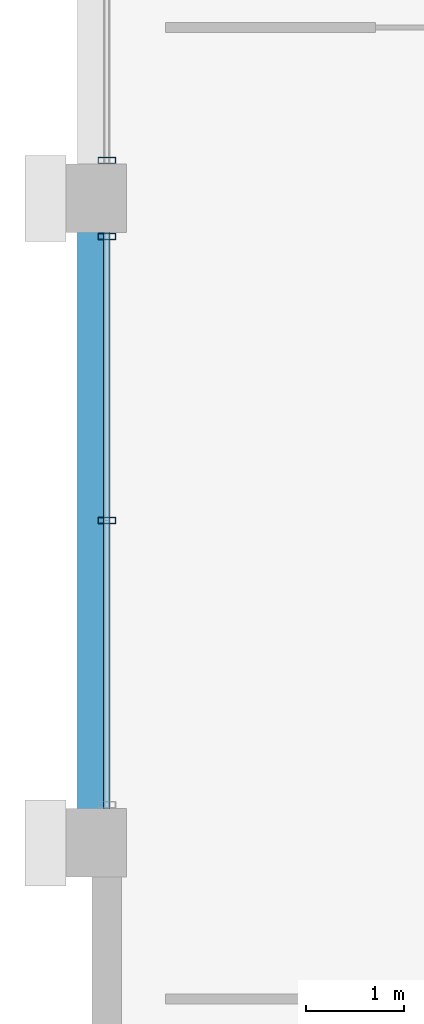
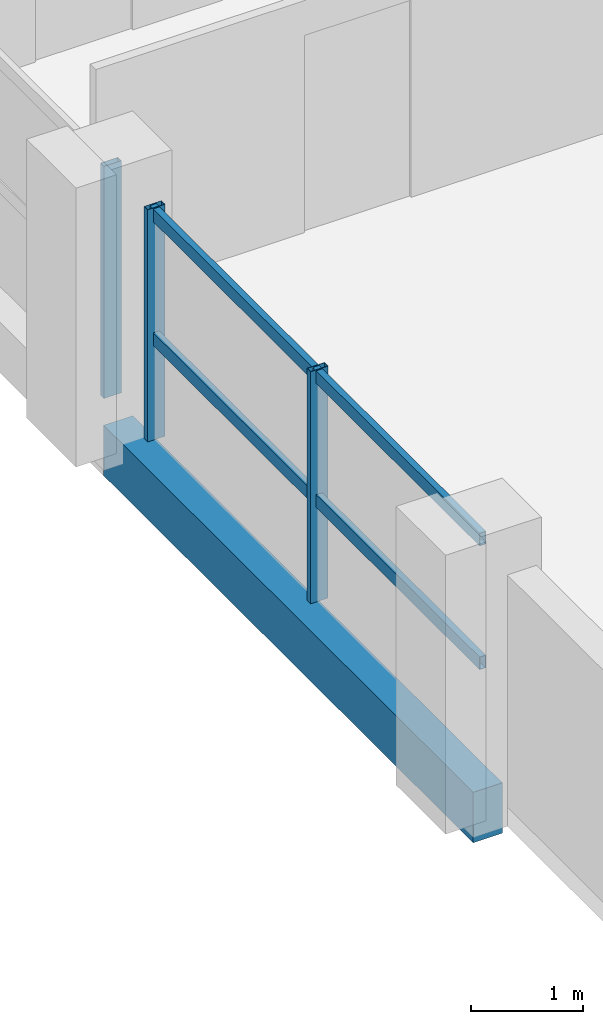
# One storey, part 4 of 24: 5 members, 1 beam, 2 elements without a shape of their own.
"""IFC4 building model written with IfcOpenShell, lengths in metres."""

from ifc_helpers import new_model, si_unit, direction, frame, origin, origin_2d, place, context, subcontext, project, spatial, rectangle, hollow_rectangle, extrude, material, material_profile, profile_set, type_object, element, aggregate, save


model = new_model("IFC4")

# Units and contexts
model_context = context("Model", 3, precision=1e-05, world=origin(), true_north=direction((0.0, 1.0)))
body_context = subcontext(model_context, "Body", "Model", "MODEL_VIEW")
ifc_project = project(units=[si_unit("LENGTHUNIT", "METRE"), si_unit("AREAUNIT", "SQUARE_METRE"), si_unit("VOLUMEUNIT", "CUBIC_METRE"), si_unit("PLANEANGLEUNIT", "RADIAN"), si_unit("MASSUNIT", "GRAM", prefix="KILO")], contexts=[model_context])

# Site, building, storey
site_placement = place(None, origin())
site = spatial("IfcSite", under=ifc_project, at=site_placement, CompositionType="ELEMENT")
building_placement = place(site_placement, origin())
building = spatial("IfcBuilding", under=site, at=building_placement, Name="Akrevak Sports Hall", CompositionType="ELEMENT")
storey_placement = place(building_placement, frame((0.0, 0.0, 60.050048828125)))
storey = spatial("IfcBuildingStorey", under=building, at=storey_placement, Name="L15", CompositionType="ELEMENT", Elevation=60.050048828125)

# Curtain wall, member
ifc_material_1 = material(Name="Anodized Bronze Aluminium & Low-E Glass", Category="aluminium")
curtain_wall_type = type_object("IfcCurtainWallType", Name="ARC-CW-TWR-56x30", PredefinedType="NOTDEFINED", material=ifc_material_1)
curtain_wall_1_placement = place(storey_placement, origin())
curtain_wall_1 = element("IfcCurtainWall", 1, at=curtain_wall_1_placement, inside=storey, type_object=curtain_wall_type, Name="Curtain Wall CW-L15-W28", PredefinedType="NOTDEFINED")
ifc_material_2 = material(Name="Anodized Bronze Aluminium", Category="aluminium")
ifc_material_profile_1 = material_profile(ifc_material_2, hollow_rectangle(XDim=0.06494140625, YDim=0.179931640625, WallThickness=0.00390625, at=origin_2d()), Name="CWM 65x180", Category="aluminium")
ifc_profile_set_1 = profile_set([ifc_material_profile_1], Name="Anodized Bronze Aluminium")
member_type_1 = type_object("IfcMemberType", Name="ARC-CWM-65x140", PredefinedType="MULLION", material=ifc_profile_set_1)
member_1_placement = place(storey_placement, frame((52.64990234375, 48.989990234375, 0.0), z_axis=(0.0, 0.0, 1.0), x_axis=(0.0, -1.0, 0.0)))
member_1 = element("IfcMember", 2, at=member_1_placement, type_object=member_type_1, Name="Curtain Wall Mullion CW-L15-W28-M3", PredefinedType="MULLION", context=body_context, shape_type="SweptSolid", body=[
    extrude(hollow_rectangle(XDim=0.06494140625, YDim=0.179931640625, WallThickness=0.00390625, at=origin_2d()), origin(), (0.0, 0.0, 1.0), 2.530029296875),
])
aggregate(curtain_wall_1, [member_1])

# Curtain wall, members
curtain_wall_2_placement = place(storey_placement, origin())
curtain_wall_2 = element("IfcCurtainWall", 3, at=curtain_wall_2_placement, inside=storey, type_object=curtain_wall_type, Name="Curtain Wall CW-L15-W29", PredefinedType="NOTDEFINED")
member_2_placement = place(storey_placement, frame((52.64990234375, 48.2099609375, 0.0), z_axis=(0.0, 0.0, 1.0), x_axis=(0.0, -1.0, 0.0)))
member_2 = element("IfcMember", 4, at=member_2_placement, type_object=member_type_1, Name="Curtain Wall Mullion CW-L15-W29-M1", PredefinedType="MULLION", context=body_context, shape_type="SweptSolid", body=[
    extrude(hollow_rectangle(XDim=0.06494140625, YDim=0.179931640625, WallThickness=0.00390625, at=origin_2d()), origin(), (0.0, 0.0, 1.0), 2.530029296875),
])
member_3_placement = place(storey_placement, frame((52.64990234375, 45.300048828125, 0.0), z_axis=(0.0, 0.0, 1.0), x_axis=(0.0, -1.0, 0.0)))
member_3 = element("IfcMember", 5, at=member_3_placement, type_object=member_type_1, Name="Curtain Wall Mullion CW-L15-W29-M2", PredefinedType="MULLION", context=body_context, shape_type="SweptSolid", body=[
    extrude(hollow_rectangle(XDim=0.06494140625, YDim=0.179931640625, WallThickness=0.00390625, at=origin_2d()), origin(), (0.0, 0.0, 1.0), 2.530029296875),
])
ifc_material_profile_2 = material_profile(ifc_material_2, hollow_rectangle(XDim=0.06494140625, YDim=0.139892578125, WallThickness=0.00390625, at=origin_2d()), Name="CWT 65x140", Category="aluminium")
ifc_profile_set_2 = profile_set([ifc_material_profile_2], Name="Anodized Bronze Aluminium")
member_type_2 = type_object("IfcMemberType", Name="ARC-CWT-65x110", PredefinedType="USERDEFINED", material=ifc_profile_set_2)
member_4_placement = place(storey_placement, frame((52.64990234375, 48.25, 1.099853515625), z_axis=(0.0, -1.0, 0.0), x_axis=(1.0, 0.0, 0.0)))
member_4 = element("IfcMember", 6, at=member_4_placement, type_object=member_type_2, Name="Curtain Wall Transom CW-L15-W29-T1", ObjectType="TRANSOM", PredefinedType="USERDEFINED", context=body_context, shape_type="SweptSolid", body=[
    extrude(hollow_rectangle(XDim=0.06494140625, YDim=0.139892578125, WallThickness=0.00390625, at=origin_2d()), origin(), (0.0, 0.0, 1.0), 5.89990234375),
])
member_5_placement = place(storey_placement, frame((52.64990234375, 48.25, 2.449951171875), z_axis=(0.0, -1.0, 0.0), x_axis=(1.0, 0.0, 0.0)))
member_5 = element("IfcMember", 7, at=member_5_placement, type_object=member_type_2, Name="Curtain Wall Transom CW-L15-W29-T2", ObjectType="TRANSOM", PredefinedType="USERDEFINED", context=body_context, shape_type="SweptSolid", body=[
    extrude(hollow_rectangle(XDim=0.06494140625, YDim=0.139892578125, WallThickness=0.00390625, at=origin_2d()), origin(), (0.0, 0.0, 1.0), 5.89990234375),
])
aggregate(curtain_wall_2, [member_2, member_3, member_4, member_5])

# Beam
ifc_material_3 = material(Name="Concrete C40/50", Category="concrete")
ifc_material_profile_3 = material_profile(ifc_material_3, rectangle(XDim=0.300048828125, YDim=0.550048828125, at=origin_2d()), Name="BM 300x550", Category="concrete")
ifc_profile_set_3 = profile_set([ifc_material_profile_3], Name="Concrete C40/50")
beam_type = type_object("IfcBeamType", Name="STR-BM-RC300x550", PredefinedType="BEAM", material=ifc_profile_set_3)
beam_placement = place(storey_placement, frame((52.5, 42.0, -0.275146484375), z_axis=(0.0, 1.0, 0.0), x_axis=(-1.0, 0.0, 0.0)))
element("IfcBeam", 8, at=beam_placement, inside=storey, type_object=beam_type, Name="Girder 8/G-H (L15)", PredefinedType="BEAM", context=body_context, shape_type="SweptSolid", body=[
    extrude(rectangle(XDim=0.300048828125, YDim=0.550048828125, at=origin_2d()), origin(), (0.0, 0.0, 1.0), 6.60009765625),
])

save(model, "model.ifc")
